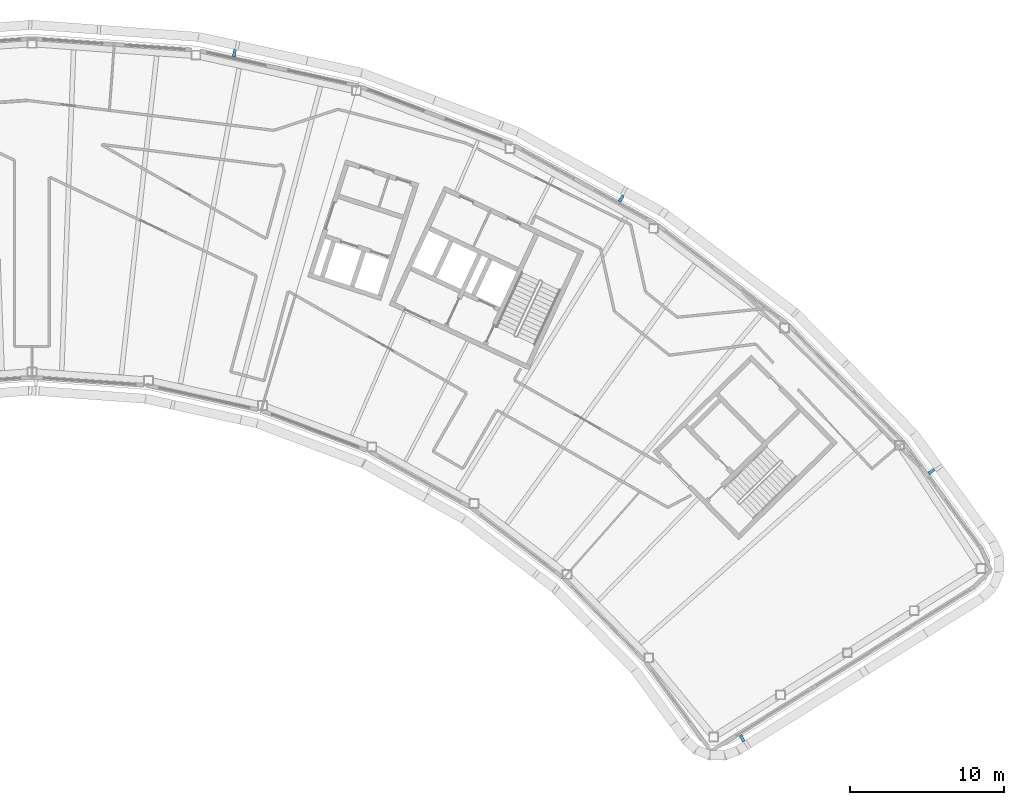
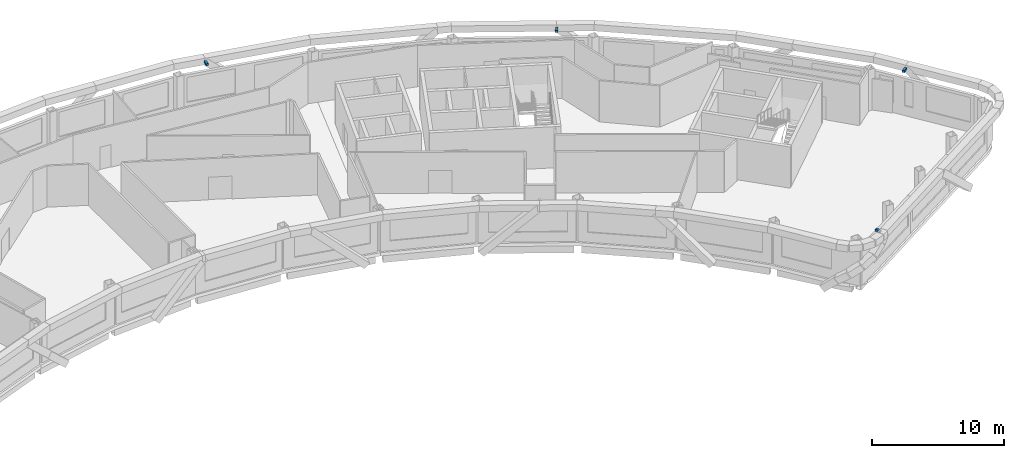
# One storey, part 13 of 17: 4 discrete accessories.
"""IFC4 building model written with IfcOpenShell, lengths in metres."""

from ifc_helpers import new_model, si_unit, direction, frame, origin, origin_2d, place, context, subcontext, project, spatial, rectangle, extrude, material, type_object, element, save


model = new_model("IFC4")

# Units and contexts
model_context = context("Model", 3, precision=1e-05, world=origin(), true_north=direction((0.0, 1.0)))
body_context = subcontext(model_context, "Body", "Model", "MODEL_VIEW")
ifc_project = project(units=[si_unit("LENGTHUNIT", "METRE"), si_unit("AREAUNIT", "SQUARE_METRE"), si_unit("VOLUMEUNIT", "CUBIC_METRE"), si_unit("PLANEANGLEUNIT", "RADIAN"), si_unit("MASSUNIT", "GRAM", prefix="KILO")], contexts=[model_context])

# Site, building, storey
site_placement = place(None, origin())
site = spatial("IfcSite", under=ifc_project, at=site_placement, CompositionType="ELEMENT")
building_placement = place(site_placement, origin())
building = spatial("IfcBuilding", under=site, at=building_placement, Name="Tuul Gate Civic Tower", CompositionType="ELEMENT")
storey_placement = place(building_placement, frame((0.0, 0.0, 344.89990234375)))
storey = spatial("IfcBuildingStorey", under=building, at=storey_placement, Name="Level 78", CompositionType="ELEMENT", Elevation=344.89990234375)

# Discrete accessories
ifc_material = material(Name="Stainless steel", Category="steel")
discrete_accessory_type = type_object("IfcDiscreteAccessoryType", Name="Screen bracket", PredefinedType="BRACKET", material=ifc_material)
for number, where, z_axis, x_axis, name in (
    (1, (60.64453125, -13.9921875, 3.75), (0.0, 0.0, 1.0), (0.796383218377, 0.604792335837, 0.0), "Screen bracket 2"),
    (2, (40.490966796875, 3.742919921875, 3.75), (0.0, 0.0, 1.0), (0.514604157599, 0.85742787509, 0.0), "Screen bracket 5"),
    (3, (15.35205078125, 13.1943359375, 3.75), (0.0, 0.0, 1.0), (0.176796151487, 0.984247489618, 0.0), "Screen bracket 8"),
):
    element("IfcDiscreteAccessory", number, at=place(storey_placement, frame(where, z_axis=z_axis, x_axis=x_axis)), inside=storey, type_object=discrete_accessory_type, Name=name, PredefinedType="BRACKET", context=body_context, shape_type="SweptSolid", body=[
        extrude(rectangle(XDim=0.4501953125, YDim=0.199951171875, at=origin_2d()), origin(), (0.0, 0.0, 1.0), 0.199951171875),
    ])
discrete_accessory_placement = place(storey_placement, frame((48.337890625, -31.32421875, 3.75), z_axis=(0.0, 0.0, 1.0), x_axis=(0.453848979937, -0.891078617974, 0.0)))
element("IfcDiscreteAccessory", 4, at=discrete_accessory_placement, inside=storey, type_object=discrete_accessory_type, Name="Screen bracket 32", PredefinedType="BRACKET", context=body_context, shape_type="SweptSolid", body=[
    extrude(rectangle(XDim=0.45166015625, YDim=0.199951171875, at=origin_2d()), origin(), (0.0, 0.0, 1.0), 0.199951171875),
])

save(model, "model.ifc")
